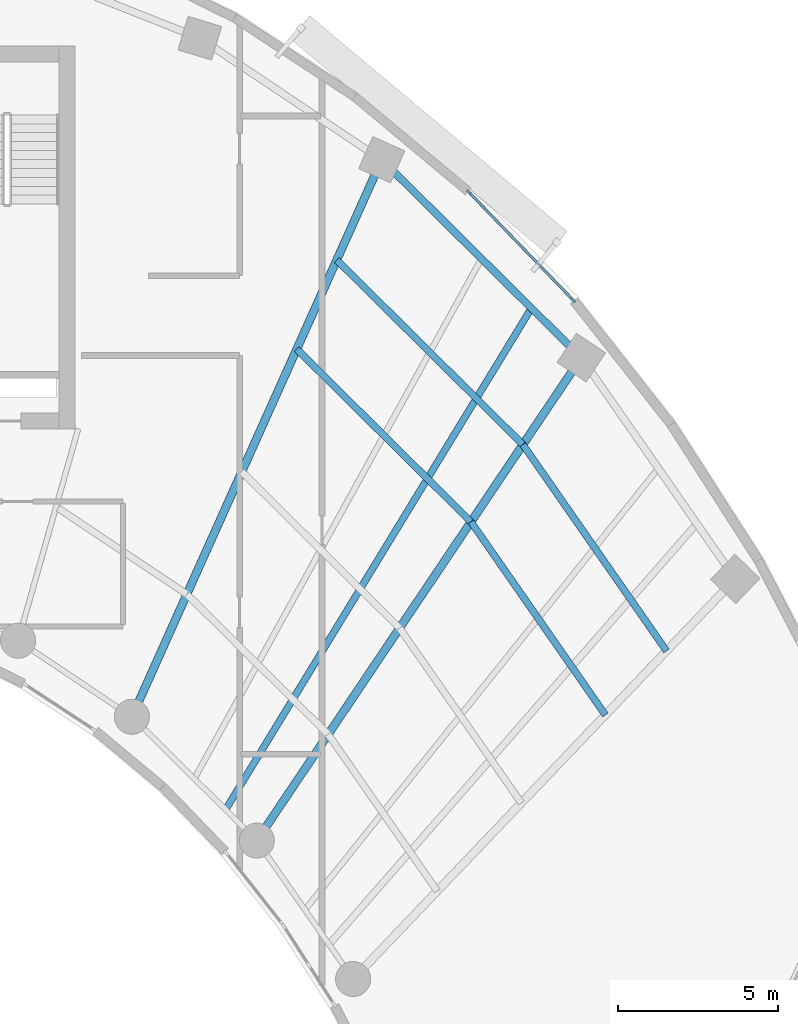
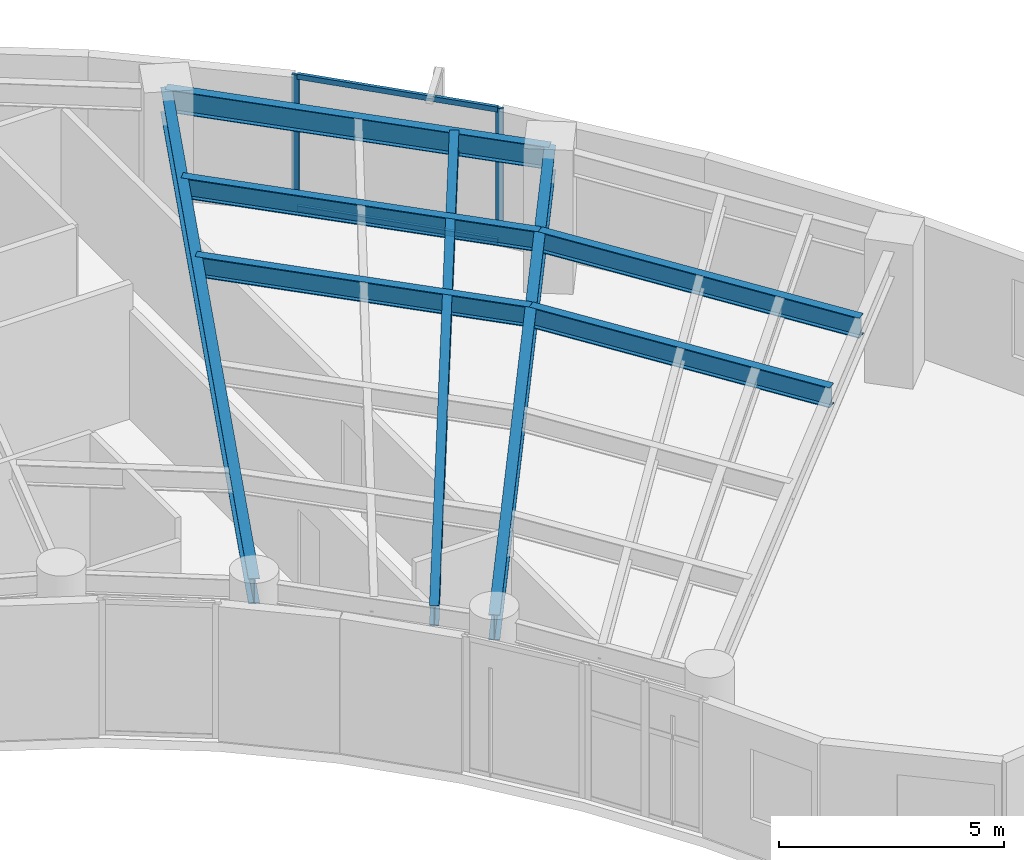
# One storey, part 4 of 13: 8 beams, 4 members, 1 element without a shape of its own.
"""IFC4 building model written with IfcOpenShell, lengths in metres."""

from ifc_helpers import new_model, si_unit, direction, frame, origin, origin_2d, place, context, subcontext, project, spatial, rectangle, i_section, extrude, source, transform, mapped, material, layer, layer_set, material_profile, profile_set, type_object, element, aggregate, save


model = new_model("IFC4")

# Units and contexts
model_context = context("Model", 3, precision=1e-05, world=origin(), true_north=direction((0.0, 1.0)))
body_context = subcontext(model_context, "Body", "Model", "MODEL_VIEW")
ifc_project = project(units=[si_unit("LENGTHUNIT", "METRE"), si_unit("AREAUNIT", "SQUARE_METRE"), si_unit("VOLUMEUNIT", "CUBIC_METRE"), si_unit("PLANEANGLEUNIT", "RADIAN"), si_unit("MASSUNIT", "GRAM", prefix="KILO")], contexts=[model_context])

# Site, building, storey
site_placement = place(None, origin())
site = spatial("IfcSite", under=ifc_project, at=site_placement, CompositionType="ELEMENT")
building_placement = place(site_placement, origin())
building = spatial("IfcBuilding", under=site, at=building_placement, Name="Breltana Convention Tower", CompositionType="ELEMENT")
storey_placement = place(building_placement, frame((0.0, 0.0, 170.10009765625)))
storey = spatial("IfcBuildingStorey", under=building, at=storey_placement, Name="L41", CompositionType="ELEMENT", Elevation=170.10009765625)

# Beams
ifc_material_1 = material(Name="Steel ASTM A992 Grade 50", Category="steel")
ifc_material_profile_1 = material_profile(ifc_material_1, i_section(OverallWidth=0.214111328125, OverallDepth=0.549072265625, WebThickness=0.0146484375, FlangeThickness=0.023681640625, at=origin_2d()), Name="W21X93")
ifc_profile_set_1 = profile_set([ifc_material_profile_1], Name="Steel ASTM A992 Grade 50")
beam_type_1 = type_object("IfcBeamType", Name="BM-JSG-03", PredefinedType="JOIST", material=ifc_profile_set_1)
shared_shape_1 = source(origin(), body_context, "Body", "SweptSolid", [
    extrude(i_section(OverallWidth=0.214111328125, OverallDepth=0.549072265625, WebThickness=0.0146484375, FlangeThickness=0.023681640625, at=origin_2d()), origin(), (0.0, 0.0, 1.0), 18.409423828125),
])
beam_1_placement = place(storey_placement, frame((64.017333984375, 48.263916015625, 3.37548828125), z_axis=(0.520682167606, 0.853750596098, 0.0), x_axis=(-0.853750596098, 0.520682167606, 0.0)))
element("IfcBeam", 1, at=beam_1_placement, inside=storey, type_object=beam_type_1, Name="L41 Quarter-Bay Radial Trimmer 09", PredefinedType="JOIST", context=body_context, shape_type="MappedRepresentation", body=[
    mapped(shared_shape_1, transform((0.0, 0.0, 0.0), scale=1.0)),
])
shared_shape_2 = source(origin(), body_context, "Body", "SweptSolid", [
    extrude(i_section(OverallWidth=0.214111328125, OverallDepth=0.549072265625, WebThickness=0.0146484375, FlangeThickness=0.023681640625, at=origin_2d()), origin(), (0.0, 0.0, 1.0), 7.688720703125),
])
beam_2_placement = place(storey_placement, frame((66.248779296875, 62.697265625, 3.37548828125), z_axis=(0.710101109809, -0.704099718682, 0.0), x_axis=(0.704099718682, 0.710101109809, 0.0)))
element("IfcBeam", 2, at=beam_2_placement, inside=storey, type_object=beam_type_1, Name="L41 Composite Floor Joist 09.3", PredefinedType="JOIST", context=body_context, shape_type="MappedRepresentation", body=[
    mapped(shared_shape_2, transform((0.0, 0.0, 0.0), scale=1.0)),
])
shared_shape_3 = source(origin(), body_context, "Body", "SweptSolid", [
    extrude(i_section(OverallWidth=0.214111328125, OverallDepth=0.549072265625, WebThickness=0.0146484375, FlangeThickness=0.023681640625, at=origin_2d()), origin(), (0.0, 0.0, 1.0), 8.21630859375),
])
beam_3_placement = place(storey_placement, frame((67.50146484375, 65.49072265625, 3.37548828125), z_axis=(0.710101511063, -0.704099314008, 0.0), x_axis=(0.704099314008, 0.710101511063, 0.0)))
element("IfcBeam", 3, at=beam_3_placement, inside=storey, type_object=beam_type_1, Name="L41 Composite Floor Joist 09.4", PredefinedType="JOIST", context=body_context, shape_type="MappedRepresentation", body=[
    mapped(shared_shape_3, transform((0.0, 0.0, 0.0), scale=1.0)),
])
shared_shape_4 = source(origin(), body_context, "Body", "SweptSolid", [
    extrude(i_section(OverallWidth=0.214111328125, OverallDepth=0.549072265625, WebThickness=0.0146484375, FlangeThickness=0.023681640625, at=origin_2d()), origin(), (0.0, 0.0, 1.0), 7.374267578125),
])
beam_4_placement = place(storey_placement, frame((71.70849609375, 57.28369140625, 3.37548828125), z_axis=(0.571229379406, -0.820790470281, 0.0), x_axis=(0.820790470281, 0.571229379406, 0.0)))
element("IfcBeam", 4, at=beam_4_placement, inside=storey, type_object=beam_type_1, Name="L41 Composite Floor Joist 10.3", PredefinedType="JOIST", context=body_context, shape_type="MappedRepresentation", body=[
    mapped(shared_shape_4, transform((0.0, 0.0, 0.0), scale=1.0)),
])
shared_shape_5 = source(origin(), body_context, "Body", "SweptSolid", [
    extrude(i_section(OverallWidth=0.214111328125, OverallDepth=0.549072265625, WebThickness=0.0146484375, FlangeThickness=0.023681640625, at=origin_2d()), origin(), (0.0, 0.0, 1.0), 7.88037109375),
])
beam_5_placement = place(storey_placement, frame((73.3359375, 59.70556640625, 3.37548828125), z_axis=(0.571197916304, -0.820812366141, 0.0), x_axis=(0.820812366141, 0.571197916304, 0.0)))
element("IfcBeam", 5, at=beam_5_placement, inside=storey, type_object=beam_type_1, Name="L41 Composite Floor Joist 10.4", PredefinedType="JOIST", context=body_context, shape_type="MappedRepresentation", body=[
    mapped(shared_shape_5, transform((0.0, 0.0, 0.0), scale=1.0)),
])
ifc_material_profile_2 = material_profile(ifc_material_1, i_section(OverallWidth=0.25390625, OverallDepth=0.68798828125, WebThickness=0.01318359375, FlangeThickness=0.02099609375, at=origin_2d()), Name="W27X102")
ifc_profile_set_2 = profile_set([ifc_material_profile_2], Name="Steel ASTM A992 Grade 50")
beam_type_2 = type_object("IfcBeamType", Name="BM-RG-W27X102", PredefinedType="USERDEFINED", material=ifc_profile_set_2)
shared_shape_6 = source(origin(), body_context, "Body", "SweptSolid", [
    extrude(i_section(OverallWidth=0.25390625, OverallDepth=0.68798828125, WebThickness=0.01318359375, FlangeThickness=0.02099609375, at=origin_2d()), origin(), (0.0, 0.0, 1.0), 19.133544921875),
])
beam_6_placement = place(storey_placement, frame((61.08203125, 51.174560546875, 3.305908203125), z_axis=(0.409144564164, 0.912469575172, 0.0), x_axis=(-0.912469575172, 0.409144564164, 0.0)))
element("IfcBeam", 6, at=beam_6_placement, inside=storey, type_object=beam_type_2, Name="L41 Radial Floor Girder R09", ObjectType="GIRDER", PredefinedType="USERDEFINED", context=body_context, shape_type="MappedRepresentation", body=[
    mapped(shared_shape_6, transform((0.0, 0.0, 0.0), scale=1.0)),
])
shared_shape_7 = source(origin(), body_context, "Body", "SweptSolid", [
    extrude(i_section(OverallWidth=0.25390625, OverallDepth=0.68798828125, WebThickness=0.01318359375, FlangeThickness=0.02099609375, at=origin_2d()), origin(), (0.0, 0.0, 1.0), 18.236328125),
])
beam_7_placement = place(storey_placement, frame((64.995849609375, 47.293701171875, 3.305908203125), z_axis=(0.557730360975, 0.830022195153, 0.0), x_axis=(-0.830022195153, 0.557730360975, 0.0)))
element("IfcBeam", 7, at=beam_7_placement, inside=storey, type_object=beam_type_2, Name="L41 Radial Floor Girder R10", ObjectType="GIRDER", PredefinedType="USERDEFINED", context=body_context, shape_type="MappedRepresentation", body=[
    mapped(shared_shape_7, transform((0.0, 0.0, 0.0), scale=1.0)),
])
ifc_material_profile_3 = material_profile(ifc_material_1, i_section(OverallWidth=0.22802734375, OverallDepth=0.60791015625, WebThickness=0.01123046875, FlangeThickness=0.017333984375, at=origin_2d()), Name="W24X76")
ifc_profile_set_3 = profile_set([ifc_material_profile_3], Name="Steel ASTM A992 Grade 50")
beam_type_3 = type_object("IfcBeamType", Name="BM-SP-W24X76", PredefinedType="SPANDREL", material=ifc_profile_set_3)
shared_shape_8 = source(origin(), body_context, "Body", "SweptSolid", [
    extrude(i_section(OverallWidth=0.22802734375, OverallDepth=0.60791015625, WebThickness=0.01123046875, FlangeThickness=0.017333984375, at=origin_2d()), origin(), (0.0, 0.0, 1.0), 8.810302734375),
])
beam_8_placement = place(storey_placement, frame((68.910400390625, 68.63330078125, 3.345947265625), z_axis=(0.710120823582, -0.704079836322, 0.0), x_axis=(0.704079836322, 0.710120823582, 0.0)))
element("IfcBeam", 8, at=beam_8_placement, inside=storey, type_object=beam_type_3, Name="L41 Outer Spandrel Beam 09", PredefinedType="SPANDREL", context=body_context, shape_type="MappedRepresentation", body=[
    mapped(shared_shape_8, transform((0.0, 0.0, 0.0), scale=1.0)),
])

# Curtain wall, members
ifc_material_2 = material(Name="Aluminium Anodised Bronze Frame", Category="aluminium")
ifc_layer = layer(ifc_material_2, 0.2099609375, Name="Aluminium Anodised Bronze Frame")
ifc_layer_set = layer_set([ifc_layer], Name="Aluminium Anodised Bronze Frame")
curtain_wall_type = type_object("IfcCurtainWallType", Name="CW-SYS-3", PredefinedType="NOTDEFINED", material=ifc_layer_set)
curtain_wall_placement = place(storey_placement, origin())
curtain_wall = element("IfcCurtainWall", 9, at=curtain_wall_placement, inside=storey, type_object=curtain_wall_type, Name="L41 outer double-skin inner glazing 4", PredefinedType="NOTDEFINED")
ifc_material_3 = material(Name="Aluminium Anodised Bronze", Category="aluminium")
ifc_material_profile_4 = material_profile(ifc_material_3, rectangle(XDim=0.070068359375, YDim=0.175048828125, at=origin_2d()), Name="CWM-70X175")
ifc_profile_set_4 = profile_set([ifc_material_profile_4], Name="Aluminium Anodised Bronze")
member_type_1 = type_object("IfcMemberType", Name="CWM-175", PredefinedType="MULLION", material=ifc_profile_set_4)
shared_shape_9 = source(origin(), body_context, "Body", "SweptSolid", [
    extrude(rectangle(XDim=0.070068359375, YDim=0.175048828125, at=origin_2d()), origin(), (0.0, 0.0, 1.0), 3.64990234375),
])
member_1_placement = place(storey_placement, frame((71.643310546875, 67.616943359375, 0.0), z_axis=(0.0, 0.0, 1.0), x_axis=(0.719393523398, 0.694602734297, 0.0)))
member_1 = element("IfcMember", 10, at=member_1_placement, type_object=member_type_1, Name="CW-03 mullion 1", PredefinedType="MULLION", context=body_context, shape_type="MappedRepresentation", body=[
    mapped(shared_shape_9, transform((0.0, 0.0, 0.0), scale=1.0)),
])
member_2_placement = place(storey_placement, frame((74.912109375, 64.2314453125, 0.0), z_axis=(0.0, 0.0, 1.0), x_axis=(0.719393523398, 0.694602734297, 0.0)))
member_2 = element("IfcMember", 11, at=member_2_placement, type_object=member_type_1, Name="CW-03 mullion 2", PredefinedType="MULLION", context=body_context, shape_type="MappedRepresentation", body=[
    mapped(shared_shape_9, transform((0.0, 0.0, 0.0), scale=1.0)),
])
ifc_material_profile_5 = material_profile(ifc_material_3, rectangle(XDim=0.080078125, YDim=0.139892578125, at=origin_2d()), Name="CWT-80X140")
ifc_profile_set_5 = profile_set([ifc_material_profile_5], Name="Aluminium Anodised Bronze")
member_type_2 = type_object("IfcMemberType", Name="CWT-140", PredefinedType="USERDEFINED", material=ifc_profile_set_5)
shared_shape_10 = source(origin(), body_context, "Body", "SweptSolid", [
    extrude(rectangle(XDim=0.080078125, YDim=0.139892578125, at=origin_2d()), origin(), (0.0, 0.0, 1.0), 4.635986328125),
])
member_3_placement = place(storey_placement, frame((71.667724609375, 67.591796875, 0.039794921875), z_axis=(0.694569137919, -0.719425960506, 0.0), x_axis=(0.719425960506, 0.694569137919, 0.0)))
member_3 = element("IfcMember", 12, at=member_3_placement, type_object=member_type_2, Name="CW-03 transom 1.1", ObjectType="TRANSOM", PredefinedType="USERDEFINED", context=body_context, shape_type="MappedRepresentation", body=[
    mapped(shared_shape_10, transform((0.0, 0.0, 0.0), scale=1.0)),
])
member_4_placement = place(storey_placement, frame((71.667724609375, 67.591796875, 3.60986328125), z_axis=(0.694569137919, -0.719425960506, 0.0), x_axis=(0.719425960506, 0.694569137919, 0.0)))
member_4 = element("IfcMember", 13, at=member_4_placement, type_object=member_type_2, Name="CW-03 transom 1.2", ObjectType="TRANSOM", PredefinedType="USERDEFINED", context=body_context, shape_type="MappedRepresentation", body=[
    mapped(shared_shape_10, transform((0.0, 0.0, 0.0), scale=1.0)),
])
aggregate(curtain_wall, [member_1, member_2, member_3, member_4])

save(model, "model.ifc")
